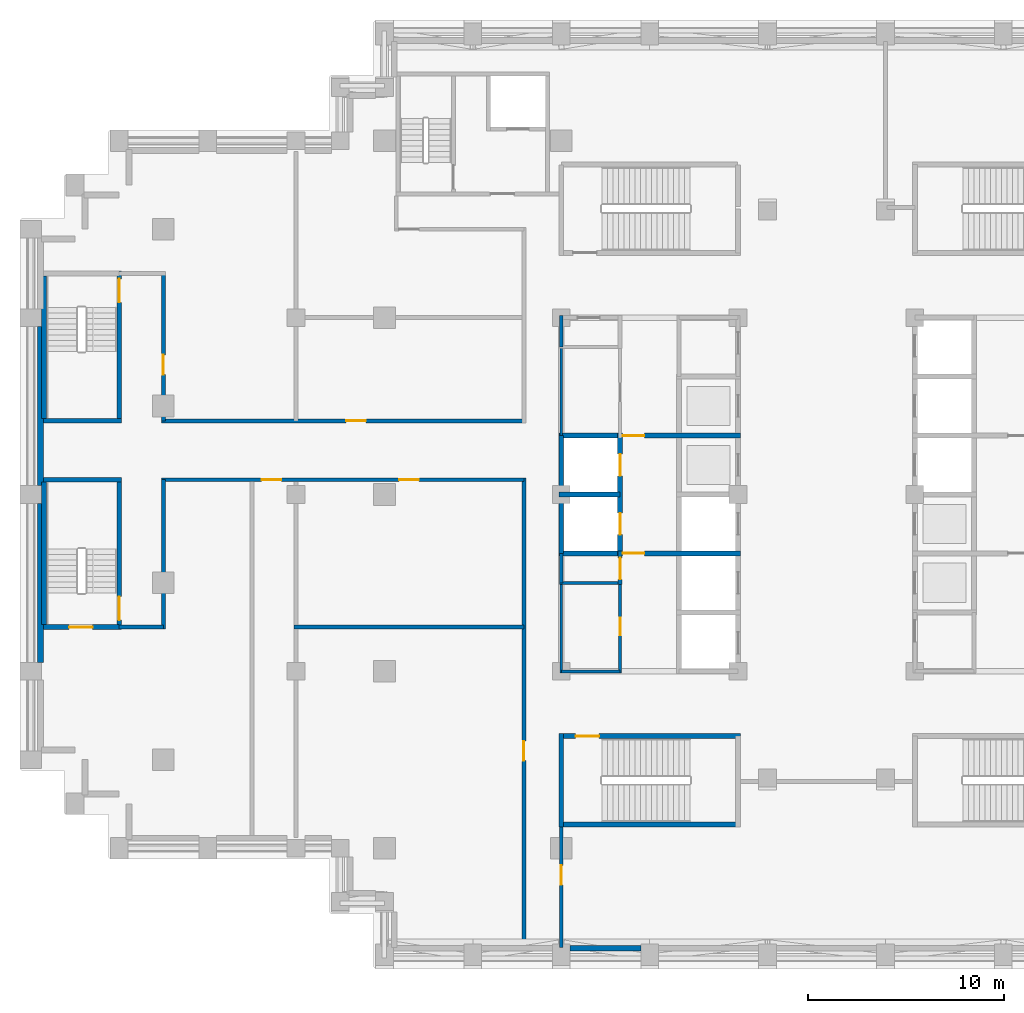
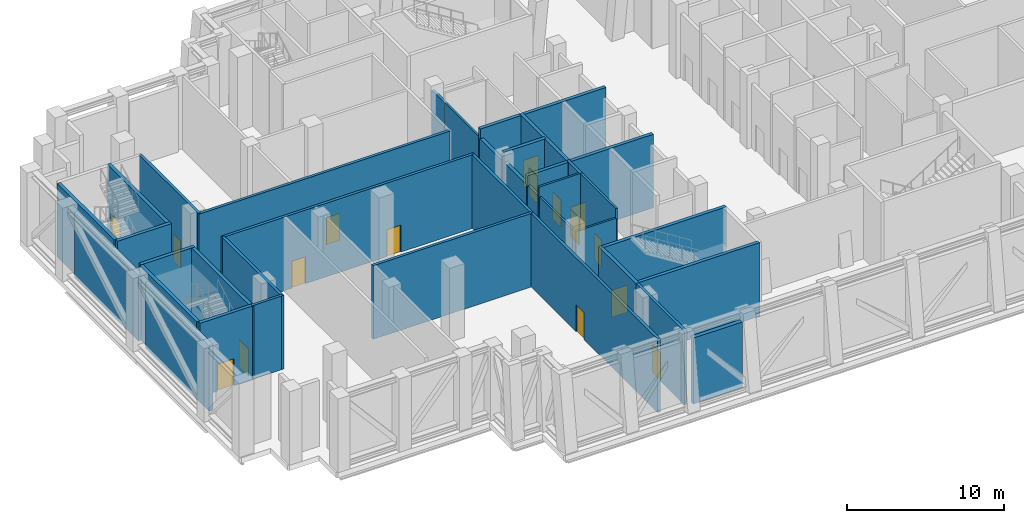
# One storey, part 5 of 14: 34 walls, 16 doors, 16 openings.
"""IFC4 building model written with IfcOpenShell, lengths in metres."""

from ifc_helpers import new_model, si_unit, direction, frame, frame_2d, origin, place, context, subcontext, project, spatial, rectangle, extrude, material, layer, layer_set, type_object, element, fill, save


model = new_model("IFC4")

# Units and contexts
model_context = context("Model", 3, precision=1e-05, world=origin(), true_north=direction((0.0, 1.0)))
body_context = subcontext(model_context, "Body", "Model", "MODEL_VIEW")
ifc_project = project(units=[si_unit("LENGTHUNIT", "METRE"), si_unit("AREAUNIT", "SQUARE_METRE"), si_unit("VOLUMEUNIT", "CUBIC_METRE"), si_unit("PLANEANGLEUNIT", "RADIAN"), si_unit("MASSUNIT", "GRAM", prefix="KILO")], contexts=[model_context])

# Site, building, storey
site_placement = place(None, origin())
site = spatial("IfcSite", under=ifc_project, at=site_placement, CompositionType="ELEMENT")
building_placement = place(site_placement, origin())
building = spatial("IfcBuilding", under=site, at=building_placement, Name="Corbelhall Arena Tower", CompositionType="ELEMENT")
storey_placement = place(building_placement, frame((0.0, 0.0, 178.0)))
storey = spatial("IfcBuildingStorey", under=building, at=storey_placement, Name="L36", CompositionType="ELEMENT", Elevation=178.0)

# Walls
ifc_material_1 = material(Name="Precast concrete C40/50 with granite facing", Category="masonry")
ifc_layer_1 = layer(ifc_material_1, 0.300048828125)
ifc_layer_set_1 = layer_set([ifc_layer_1], Name="EV-IW1 Infill panel 300")
wall_type_1 = type_object("IfcWallType", Name="EV-IW1 Infill panel 300", PredefinedType="SOLIDWALL", material=ifc_layer_set_1)
for number, where, z_axis, x_axis, name in (
    (1, (-40.0, 8.550048828125, 0.0), (0.0, 0.0, 1.0), (0.0, -1.0, 0.0), "Infill panel IW1"),
    (2, (-40.0, -0.449951171875, 0.0), (0.0, 0.0, 1.0), (0.0, -1.0, 0.0), "Infill panel IW1"),
):
    element("IfcWall", number, at=place(storey_placement, frame(where, z_axis=z_axis, x_axis=x_axis)), inside=storey, type_object=wall_type_1, Name=name, PredefinedType="SOLIDWALL", context=body_context, shape_type="SweptSolid", body=[
        extrude(rectangle(XDim=8.10009765625, YDim=0.300048828125, at=frame_2d((4.050048828125, 0.0))), origin(), (0.0, 0.0, 1.0), 5.1201171875),
    ])
wall_1_placement = place(storey_placement, frame((-13.050048828125, -23.10009765625, 0.0), z_axis=(0.0, 0.0, 1.0), x_axis=(1.0, 0.0, 0.0)))
element("IfcWall", 3, at=wall_1_placement, inside=storey, type_object=wall_type_1, Name="Infill panel IW1", PredefinedType="SOLIDWALL", context=body_context, shape_type="SweptSolid", body=[
    extrude(rectangle(XDim=3.60009765625, YDim=0.300048828125, at=frame_2d((1.800048828125, 0.0))), origin(), (0.0, 0.0, 1.0), 5.1201171875),
])

# Wall, opening, door
ifc_material_2 = material(Name="Gypsum board on steel stud, acoustic", Category="steel")
ifc_layer_2 = layer(ifc_material_2, 0.199951171875)
ifc_layer_set_2 = layer_set([ifc_layer_2], Name="IN-W-DM200")
wall_type_2 = type_object("IfcWallType", Name="IN-W-DM200", PredefinedType="PARTITIONING", material=ifc_layer_set_2)
wall_2_placement = place(storey_placement, frame((-33.85009765625, 3.75, 0.0), z_axis=(0.0, 0.0, 1.0), x_axis=(1.0, 0.0, 0.0)))
wall_2 = element("IfcWall", 4, at=wall_2_placement, inside=storey, type_object=wall_type_2, Name="Partition 002", PredefinedType="PARTITIONING", context=body_context, shape_type="SweptSolid", body=[
    extrude(rectangle(XDim=18.4501953125, YDim=0.199951171875, at=frame_2d((9.22509765625, 0.0))), origin(), (0.0, 0.0, 1.0), 5.719970703125),
])
opening_1_placement = place(wall_2_placement, frame((9.39990234375, 0.0, 0.0)))
opening_1 = element("IfcOpeningElement", 5, at=opening_1_placement, cuts=wall_2, Name="Opening 27022", PredefinedType="OPENING", context=body_context, shape_type="SweptSolid", body=[
    extrude(rectangle(XDim=1.0, YDim=2.10009765625, at=frame_2d((0.5, 1.050048828125))), frame((0.0, 0.10009765625, 0.0), z_axis=(0.0, -1.0, 0.0), x_axis=(1.0, 0.0, 0.0)), (0.0, 0.0, 1.0), 0.199951171875),
])
ifc_material_3 = material(Name="Steel door set", Category="steel")
door_type_1 = type_object("IfcDoorType", Name="IN-D-SW100", OperationType="NOTDEFINED", PredefinedType="DOOR", material=ifc_material_3)
door_1_placement = place(opening_1_placement, origin())
door_1 = element("IfcDoor", 6, at=door_1_placement, inside=storey, type_object=door_type_1, Name="Door 022", OperationType="SINGLE_SWING_LEFT", OverallHeight=2.10009765625, OverallWidth=1.0, PredefinedType="DOOR", context=body_context, shape_type="SweptSolid", body=[
    extrude(rectangle(XDim=1.0, YDim=2.10009765625, at=frame_2d((0.5, 1.050048828125))), frame((0.0, 0.02490234375, 0.0), z_axis=(0.0, -1.0, 0.0), x_axis=(1.0, 0.0, 0.0)), (0.0, 0.0, 1.0), 0.050048828125),
])
fill(opening_1, door_1)

# Walls
wall_3_placement = place(storey_placement, frame((-33.75, -6.75, 0.0), z_axis=(0.0, 0.0, 1.0), x_axis=(-1.0, 0.0, 0.0)))
element("IfcWall", 7, at=wall_3_placement, inside=storey, type_object=wall_type_2, Name="Partition 003", PredefinedType="PARTITIONING", context=body_context, shape_type="SweptSolid", body=[
    extrude(rectangle(XDim=2.25, YDim=0.199951171875, at=frame_2d((1.125, 0.0))), origin(), (0.0, 0.0, 1.0), 5.719970703125),
])
wall_4_placement = place(storey_placement, frame((-33.75, 0.75, 0.0), z_axis=(0.0, 0.0, 1.0), x_axis=(0.0, -1.0, 0.0)))
element("IfcWall", 8, at=wall_4_placement, inside=storey, type_object=wall_type_2, Name="Partition 004", PredefinedType="PARTITIONING", context=body_context, shape_type="SweptSolid", body=[
    extrude(rectangle(XDim=7.60009765625, YDim=0.199951171875, at=frame_2d((3.800048828125, 0.0))), origin(), (0.0, 0.0, 1.0), 5.719970703125),
])

# Wall, opening, door
wall_5_placement = place(storey_placement, frame((-33.75, 11.25, 0.0), z_axis=(0.0, 0.0, 1.0), x_axis=(0.0, -1.0, 0.0)))
wall_5 = element("IfcWall", 9, at=wall_5_placement, inside=storey, type_object=wall_type_2, Name="Partition 005", PredefinedType="PARTITIONING", context=body_context, shape_type="SweptSolid", body=[
    extrude(rectangle(XDim=7.5, YDim=0.199951171875, at=frame_2d((3.75, 0.0))), origin(), (0.0, 0.0, 1.0), 5.719970703125),
])
opening_2_placement = place(wall_5_placement, frame((4.14990234375, 0.0, 0.0)))
opening_2 = element("IfcOpeningElement", 10, at=opening_2_placement, cuts=wall_5, Name="Opening 27032", PredefinedType="OPENING", context=body_context, shape_type="SweptSolid", body=[
    extrude(rectangle(XDim=1.0, YDim=2.10009765625, at=frame_2d((0.5, 1.050048828125))), frame((0.0, 0.10009765625, 0.0), z_axis=(0.0, -1.0, 0.0), x_axis=(1.0, 0.0, 0.0)), (0.0, 0.0, 1.0), 0.199951171875),
])
door_2_placement = place(opening_2_placement, origin())
door_2 = element("IfcDoor", 11, at=door_2_placement, inside=storey, type_object=door_type_1, Name="Door 032", OperationType="SINGLE_SWING_LEFT", OverallHeight=2.10009765625, OverallWidth=1.0, PredefinedType="DOOR", context=body_context, shape_type="SweptSolid", body=[
    extrude(rectangle(XDim=1.0, YDim=2.10009765625, at=frame_2d((0.5, 1.050048828125))), frame((0.0, 0.02490234375, 0.0), z_axis=(0.0, -1.0, 0.0), x_axis=(1.0, 0.0, 0.0)), (0.0, 0.0, 1.0), 0.050048828125),
])
fill(opening_2, door_2)

# Wall, openings, doors
wall_6_placement = place(storey_placement, frame((-15.39990234375, 0.75, 0.0), z_axis=(0.0, 0.0, 1.0), x_axis=(-1.0, 0.0, 0.0)))
wall_6 = element("IfcWall", 12, at=wall_6_placement, inside=storey, type_object=wall_type_2, Name="Partition 007", PredefinedType="PARTITIONING", context=body_context, shape_type="SweptSolid", body=[
    extrude(rectangle(XDim=18.4501953125, YDim=0.199951171875, at=frame_2d((9.22509765625, 0.0))), origin(), (0.0, 0.0, 1.0), 5.719970703125),
])
opening_3_placement = place(wall_6_placement, frame((5.35009765625, 0.0, 0.0)))
opening_3 = element("IfcOpeningElement", 13, at=opening_3_placement, cuts=wall_6, Name="Opening 27025", PredefinedType="OPENING", context=body_context, shape_type="SweptSolid", body=[
    extrude(rectangle(XDim=1.0, YDim=2.10009765625, at=frame_2d((0.5, 1.050048828125))), frame((0.0, 0.10009765625, 0.0), z_axis=(0.0, -1.0, 0.0), x_axis=(1.0, 0.0, 0.0)), (0.0, 0.0, 1.0), 0.199951171875),
])
opening_4_placement = place(wall_6_placement, frame((12.35009765625, 0.0, 0.0)))
opening_4 = element("IfcOpeningElement", 14, at=opening_4_placement, cuts=wall_6, Name="Opening 27034", PredefinedType="OPENING", context=body_context, shape_type="SweptSolid", body=[
    extrude(rectangle(XDim=1.0, YDim=2.10009765625, at=frame_2d((0.5, 1.050048828125))), frame((0.0, 0.10009765625, 0.0), z_axis=(0.0, -1.0, 0.0), x_axis=(1.0, 0.0, 0.0)), (0.0, 0.0, 1.0), 0.199951171875),
])
door_3_placement = place(opening_3_placement, origin())
door_3 = element("IfcDoor", 15, at=door_3_placement, inside=storey, type_object=door_type_1, Name="Door 025", OperationType="SINGLE_SWING_RIGHT", OverallHeight=2.10009765625, OverallWidth=1.0, PredefinedType="DOOR", context=body_context, shape_type="SweptSolid", body=[
    extrude(rectangle(XDim=1.0, YDim=2.10009765625, at=frame_2d((0.5, 1.050048828125))), frame((0.0, 0.02490234375, 0.0), z_axis=(0.0, -1.0, 0.0), x_axis=(1.0, 0.0, 0.0)), (0.0, 0.0, 1.0), 0.050048828125),
])
fill(opening_3, door_3)
door_4_placement = place(opening_4_placement, origin())
door_4 = element("IfcDoor", 16, at=door_4_placement, inside=storey, type_object=door_type_1, Name="Door 034", OperationType="SINGLE_SWING_LEFT", OverallHeight=2.10009765625, OverallWidth=1.0, PredefinedType="DOOR", context=body_context, shape_type="SweptSolid", body=[
    extrude(rectangle(XDim=1.0, YDim=2.10009765625, at=frame_2d((0.5, 1.050048828125))), frame((0.0, 0.02490234375, 0.0), z_axis=(0.0, -1.0, 0.0), x_axis=(1.0, 0.0, 0.0)), (0.0, 0.0, 1.0), 0.050048828125),
])
fill(opening_4, door_4)

# Wall
wall_7_placement = place(storey_placement, frame((-27.10009765625, -6.75, 0.0), z_axis=(0.0, 0.0, 1.0), x_axis=(1.0, 0.0, 0.0)))
element("IfcWall", 17, at=wall_7_placement, inside=storey, type_object=wall_type_2, Name="Partition 008", PredefinedType="PARTITIONING", context=body_context, shape_type="SweptSolid", body=[
    extrude(rectangle(XDim=11.7001953125, YDim=0.199951171875, at=frame_2d((5.85009765625, 0.0))), origin(), (0.0, 0.0, 1.0), 5.719970703125),
])

# Wall, opening, door
wall_8_placement = place(storey_placement, frame((-15.39990234375, -22.949951171875, 0.0), z_axis=(0.0, 0.0, 1.0), x_axis=(0.0, 1.0, 0.0)))
wall_8 = element("IfcWall", 18, at=wall_8_placement, inside=storey, type_object=wall_type_2, Name="Partition 013", PredefinedType="PARTITIONING", context=body_context, shape_type="SweptSolid", body=[
    extrude(rectangle(XDim=23.800048828125, YDim=0.199951171875, at=frame_2d((11.89990234375, 0.0))), origin(), (0.0, 0.0, 1.0), 5.719970703125),
])
opening_5_placement = place(wall_8_placement, frame((9.39990234375, 0.0, 0.0)))
opening_5 = element("IfcOpeningElement", 19, at=opening_5_placement, cuts=wall_8, Name="Opening 27024", PredefinedType="OPENING", context=body_context, shape_type="SweptSolid", body=[
    extrude(rectangle(XDim=1.0, YDim=2.10009765625, at=frame_2d((0.5, 1.050048828125))), frame((0.0, 0.10009765625, 0.0), z_axis=(0.0, -1.0, 0.0), x_axis=(1.0, 0.0, 0.0)), (0.0, 0.0, 1.0), 0.199951171875),
])
door_5_placement = place(opening_5_placement, origin())
door_5 = element("IfcDoor", 20, at=door_5_placement, inside=storey, type_object=door_type_1, Name="Door 024", OperationType="SINGLE_SWING_LEFT", OverallHeight=2.10009765625, OverallWidth=1.0, PredefinedType="DOOR", context=body_context, shape_type="SweptSolid", body=[
    extrude(rectangle(XDim=1.0, YDim=2.10009765625, at=frame_2d((0.5, 1.050048828125))), frame((0.0, 0.02490234375, 0.0), z_axis=(0.0, -1.0, 0.0), x_axis=(1.0, 0.0, 0.0)), (0.0, 0.0, 1.0), 0.050048828125),
])
fill(opening_5, door_5)

wall_9_placement = place(storey_placement, frame((-13.5, -16.675048828125, 0.0), z_axis=(0.0, 0.0, 1.0), x_axis=(0.0, -1.0, 0.0)))
wall_9 = element("IfcWall", 21, at=wall_9_placement, inside=storey, type_object=wall_type_2, Name="Partition 016", PredefinedType="PARTITIONING", context=body_context, shape_type="SweptSolid", body=[
    extrude(rectangle(XDim=6.375, YDim=0.199951171875, at=frame_2d((3.1875, 0.0))), origin(), (0.0, 0.0, 1.0), 5.719970703125),
])
opening_6_placement = place(wall_9_placement, frame((2.199951171875, 0.0, 0.0)))
opening_6 = element("IfcOpeningElement", 22, at=opening_6_placement, cuts=wall_9, Name="Opening 27021", PredefinedType="OPENING", context=body_context, shape_type="SweptSolid", body=[
    extrude(rectangle(XDim=1.0, YDim=2.10009765625, at=frame_2d((0.5, 1.050048828125))), frame((0.0, 0.10009765625, 0.0), z_axis=(0.0, -1.0, 0.0), x_axis=(1.0, 0.0, 0.0)), (0.0, 0.0, 1.0), 0.199951171875),
])
door_6_placement = place(opening_6_placement, origin())
door_6 = element("IfcDoor", 23, at=door_6_placement, inside=storey, type_object=door_type_1, Name="Door 021", OperationType="SINGLE_SWING_RIGHT", OverallHeight=2.10009765625, OverallWidth=1.0, PredefinedType="DOOR", context=body_context, shape_type="SweptSolid", body=[
    extrude(rectangle(XDim=1.0, YDim=2.10009765625, at=frame_2d((0.5, 1.050048828125))), frame((0.0, 0.02490234375, 0.0), z_axis=(0.0, -1.0, 0.0), x_axis=(1.0, 0.0, 0.0)), (0.0, 0.0, 1.0), 0.050048828125),
])
fill(opening_6, door_6)

ifc_material_4 = material(Name="Concrete block wall", Category="concrete")
ifc_layer_3 = layer(ifc_material_4, 0.199951171875)
ifc_layer_set_3 = layer_set([ifc_layer_3], Name="IN-W-RS200")
wall_type_3 = type_object("IfcWallType", Name="IN-W-RS200", PredefinedType="SOLIDWALL", material=ifc_layer_set_3)
wall_10_placement = place(storey_placement, frame((-10.5, -4.574951171875, 0.0), z_axis=(0.0, 0.0, 1.0), x_axis=(0.0, 1.0, 0.0)))
wall_10 = element("IfcWall", 24, at=wall_10_placement, inside=storey, type_object=wall_type_3, Name="Partition 041", PredefinedType="SOLIDWALL", context=body_context, shape_type="SweptSolid", body=[
    extrude(rectangle(XDim=1.699951171875, YDim=0.199951171875, at=frame_2d((0.85009765625, 0.0))), origin(), (0.0, 0.0, 1.0), 5.719970703125),
])
opening_7_placement = place(wall_10_placement, frame((0.25, 0.0, 0.0)))
opening_7 = element("IfcOpeningElement", 25, at=opening_7_placement, cuts=wall_10, Name="Opening 27005", PredefinedType="OPENING", context=body_context, shape_type="SweptSolid", body=[
    extrude(rectangle(XDim=1.10009765625, YDim=2.10009765625, at=frame_2d((0.550048828125, 1.050048828125))), frame((0.0, 0.10009765625, 0.0), z_axis=(0.0, -1.0, 0.0), x_axis=(1.0, 0.0, 0.0)), (0.0, 0.0, 1.0), 0.199951171875),
])
door_type_2 = type_object("IfcDoorType", Name="IN-D-FD110", OperationType="NOTDEFINED", PredefinedType="DOOR", material=ifc_material_3)
door_7_placement = place(opening_7_placement, origin())
door_7 = element("IfcDoor", 26, at=door_7_placement, inside=storey, type_object=door_type_2, Name="Door 005", OperationType="SINGLE_SWING_RIGHT", OverallHeight=2.10009765625, OverallWidth=1.10009765625, PredefinedType="DOOR", context=body_context, shape_type="SweptSolid", body=[
    extrude(rectangle(XDim=1.10009765625, YDim=2.10009765625, at=frame_2d((0.550048828125, 1.050048828125))), frame((0.0, 0.02490234375, 0.0), z_axis=(0.0, -1.0, 0.0), x_axis=(1.0, 0.0, 0.0)), (0.0, 0.0, 1.0), 0.050048828125),
])
fill(opening_7, door_7)

# Walls
ifc_layer_4 = layer(ifc_material_4, 0.199951171875)
ifc_layer_set_4 = layer_set([ifc_layer_4], Name="IN-W-RS200 under beam 762 mm")
wall_type_4 = type_object("IfcWallType", Name="IN-W-RS200 under beam 762 mm", PredefinedType="SOLIDWALL", material=ifc_layer_set_4)
wall_11_placement = place(storey_placement, frame((-13.5, -4.5, 0.0), z_axis=(0.0, 0.0, 1.0), x_axis=(0.0, 1.0, 0.0)))
element("IfcWall", 27, at=wall_11_placement, inside=storey, type_object=wall_type_4, Name="Partition 038", PredefinedType="SOLIDWALL", context=body_context, shape_type="SweptSolid", body=[
    extrude(rectangle(XDim=1.5, YDim=0.199951171875, at=frame_2d((0.75, 0.0))), origin(), (0.0, 0.0, 1.0), 4.9580078125),
])
wall_12_placement = place(storey_placement, frame((-13.5, 7.5, 0.0), z_axis=(0.0, 0.0, 1.0), x_axis=(0.0, 1.0, 0.0)))
element("IfcWall", 28, at=wall_12_placement, inside=storey, type_object=wall_type_4, Name="Partition 039", PredefinedType="SOLIDWALL", context=body_context, shape_type="SweptSolid", body=[
    extrude(rectangle(XDim=1.60009765625, YDim=0.199951171875, at=frame_2d((0.800048828125, 0.0))), origin(), (0.0, 0.0, 1.0), 4.9580078125),
])
ifc_material_5 = material(Name="Concrete C40/50", Category="concrete")
ifc_layer_5 = layer(ifc_material_5, 0.25)
ifc_layer_set_5 = layer_set([ifc_layer_5], Name="IN-W-SH250")
wall_type_5 = type_object("IfcWallType", Name="IN-W-SH250", PredefinedType="SOLIDWALL", material=ifc_layer_set_5)
wall_13_placement = place(storey_placement, frame((-13.625, 0.0, 0.0), z_axis=(0.0, 0.0, 1.0), x_axis=(1.0, 0.0, 0.0)))
element("IfcWall", 29, at=wall_13_placement, inside=storey, type_object=wall_type_5, Name="Shaft wall 054", PredefinedType="SOLIDWALL", context=body_context, shape_type="SweptSolid", body=[
    extrude(rectangle(XDim=3.125, YDim=0.25, at=frame_2d((1.5625, 0.0))), origin(), (0.0, 0.0, 1.0), 5.719970703125),
])

# Wall, opening, door
wall_14_placement = place(storey_placement, frame((-13.625, 3.0, 0.0), z_axis=(0.0, 0.0, 1.0), x_axis=(1.0, 0.0, 0.0)))
wall_14 = element("IfcWall", 30, at=wall_14_placement, inside=storey, type_object=wall_type_5, Name="Shaft wall 055", PredefinedType="SOLIDWALL", context=body_context, shape_type="SweptSolid", body=[
    extrude(rectangle(XDim=9.25, YDim=0.25, at=frame_2d((4.625, 0.0))), origin(), (0.0, 0.0, 1.0), 5.719970703125),
])
opening_8_placement = place(wall_14_placement, frame((3.25, 0.0, 0.0)))
opening_8 = element("IfcOpeningElement", 31, at=opening_8_placement, cuts=wall_14, Name="Opening 27003", PredefinedType="OPENING", context=body_context, shape_type="SweptSolid", body=[
    extrude(rectangle(XDim=1.10009765625, YDim=2.10009765625, at=frame_2d((0.550048828125, 1.050048828125))), frame((0.0, 0.125, 0.0), z_axis=(0.0, -1.0, 0.0), x_axis=(1.0, 0.0, 0.0)), (0.0, 0.0, 1.0), 0.25),
])
door_8_placement = place(opening_8_placement, origin())
door_8 = element("IfcDoor", 32, at=door_8_placement, inside=storey, type_object=door_type_2, Name="Door 003", OperationType="SINGLE_SWING_RIGHT", OverallHeight=2.10009765625, OverallWidth=1.10009765625, PredefinedType="DOOR", context=body_context, shape_type="SweptSolid", body=[
    extrude(rectangle(XDim=1.10009765625, YDim=2.10009765625, at=frame_2d((0.550048828125, 1.050048828125))), frame((0.0, 0.02490234375, 0.0), z_axis=(0.0, -1.0, 0.0), x_axis=(1.0, 0.0, 0.0)), (0.0, 0.0, 1.0), 0.050048828125),
])
fill(opening_8, door_8)

wall_15_placement = place(storey_placement, frame((-13.625, -3.0, 0.0), z_axis=(0.0, 0.0, 1.0), x_axis=(1.0, 0.0, 0.0)))
wall_15 = element("IfcWall", 33, at=wall_15_placement, inside=storey, type_object=wall_type_5, Name="Shaft wall 057", PredefinedType="SOLIDWALL", context=body_context, shape_type="SweptSolid", body=[
    extrude(rectangle(XDim=9.25, YDim=0.25, at=frame_2d((4.625, 0.0))), origin(), (0.0, 0.0, 1.0), 5.719970703125),
])
opening_9_placement = place(wall_15_placement, frame((3.25, 0.0, 0.0)))
opening_9 = element("IfcOpeningElement", 34, at=opening_9_placement, cuts=wall_15, Name="Opening 27002", PredefinedType="OPENING", context=body_context, shape_type="SweptSolid", body=[
    extrude(rectangle(XDim=1.10009765625, YDim=2.10009765625, at=frame_2d((0.550048828125, 1.050048828125))), frame((0.0, 0.125, 0.0), z_axis=(0.0, -1.0, 0.0), x_axis=(1.0, 0.0, 0.0)), (0.0, 0.0, 1.0), 0.25),
])
door_9_placement = place(opening_9_placement, origin())
door_9 = element("IfcDoor", 35, at=door_9_placement, inside=storey, type_object=door_type_2, Name="Door 002", OperationType="SINGLE_SWING_LEFT", OverallHeight=2.10009765625, OverallWidth=1.10009765625, PredefinedType="DOOR", context=body_context, shape_type="SweptSolid", body=[
    extrude(rectangle(XDim=1.10009765625, YDim=2.10009765625, at=frame_2d((0.550048828125, 1.050048828125))), frame((0.0, 0.02490234375, 0.0), z_axis=(0.0, -1.0, 0.0), x_axis=(1.0, 0.0, 0.0)), (0.0, 0.0, 1.0), 0.050048828125),
])
fill(opening_9, door_9)

# Wall, openings, doors
wall_16_placement = place(storey_placement, frame((-10.5, -3.125, 0.0), z_axis=(0.0, 0.0, 1.0), x_axis=(0.0, 1.0, 0.0)))
wall_16 = element("IfcWall", 36, at=wall_16_placement, inside=storey, type_object=wall_type_5, Name="Shaft wall 058", PredefinedType="SOLIDWALL", context=body_context, shape_type="SweptSolid", body=[
    extrude(rectangle(XDim=6.25, YDim=0.25, at=frame_2d((3.125, 0.0))), origin(), (0.0, 0.0, 1.0), 5.719970703125),
])
opening_10_placement = place(wall_16_placement, frame((1.074951171875, 0.0, 0.0)))
opening_10 = element("IfcOpeningElement", 37, at=opening_10_placement, cuts=wall_16, Name="Opening LD", PredefinedType="OPENING", context=body_context, shape_type="SweptSolid", body=[
    extrude(rectangle(XDim=1.10009765625, YDim=2.10009765625, at=frame_2d((0.550048828125, 1.050048828125))), frame((0.0, 0.125, 0.0), z_axis=(0.0, -1.0, 0.0), x_axis=(1.0, 0.0, 0.0)), (0.0, 0.0, 1.0), 0.25),
])
opening_11_placement = place(wall_16_placement, frame((4.074951171875, 0.0, 0.0)))
opening_11 = element("IfcOpeningElement", 38, at=opening_11_placement, cuts=wall_16, Name="Opening LD", PredefinedType="OPENING", context=body_context, shape_type="SweptSolid", body=[
    extrude(rectangle(XDim=1.10009765625, YDim=2.10009765625, at=frame_2d((0.550048828125, 1.050048828125))), frame((0.0, 0.125, 0.0), z_axis=(0.0, -1.0, 0.0), x_axis=(1.0, 0.0, 0.0)), (0.0, 0.0, 1.0), 0.25),
])
door_type_3 = type_object("IfcDoorType", Name="IN-D-LD110", OperationType="NOTDEFINED", PredefinedType="DOOR", material=ifc_material_3)
door_10_placement = place(opening_10_placement, origin())
door_10 = element("IfcDoor", 39, at=door_10_placement, inside=storey, type_object=door_type_3, Name="Landing door W3", OperationType="SLIDING_TO_LEFT", OverallHeight=2.10009765625, OverallWidth=1.10009765625, PredefinedType="DOOR", context=body_context, shape_type="SweptSolid", body=[
    extrude(rectangle(XDim=1.10009765625, YDim=2.10009765625, at=frame_2d((0.550048828125, 1.050048828125))), frame((0.0, 0.02490234375, 0.0), z_axis=(0.0, -1.0, 0.0), x_axis=(1.0, 0.0, 0.0)), (0.0, 0.0, 1.0), 0.050048828125),
])
fill(opening_10, door_10)
door_11_placement = place(opening_11_placement, origin())
door_11 = element("IfcDoor", 40, at=door_11_placement, inside=storey, type_object=door_type_3, Name="Landing door W4", OperationType="SLIDING_TO_LEFT", OverallHeight=2.10009765625, OverallWidth=1.10009765625, PredefinedType="DOOR", context=body_context, shape_type="SweptSolid", body=[
    extrude(rectangle(XDim=1.10009765625, YDim=2.10009765625, at=frame_2d((0.550048828125, 1.050048828125))), frame((0.0, 0.02490234375, 0.0), z_axis=(0.0, -1.0, 0.0), x_axis=(1.0, 0.0, 0.0)), (0.0, 0.0, 1.0), 0.050048828125),
])
fill(opening_11, door_11)

# Walls
ifc_layer_6 = layer(ifc_material_5, 0.25)
ifc_layer_set_6 = layer_set([ifc_layer_6], Name="IN-W-SH250 under beam 762 mm")
wall_type_6 = type_object("IfcWallType", Name="IN-W-SH250 under beam 762 mm", PredefinedType="SOLIDWALL", material=ifc_layer_set_6)
wall_17_placement = place(storey_placement, frame((-13.5, -3.0, 0.0), z_axis=(0.0, 0.0, 1.0), x_axis=(0.0, 1.0, 0.0)))
element("IfcWall", 41, at=wall_17_placement, inside=storey, type_object=wall_type_6, Name="Shaft wall 056", PredefinedType="SOLIDWALL", context=body_context, shape_type="SweptSolid", body=[
    extrude(rectangle(XDim=6.0, YDim=0.25, at=frame_2d((3.0, 0.0))), origin(), (0.0, 0.0, 1.0), 4.9580078125),
])
ifc_layer_7 = layer(ifc_material_5, 0.25)
ifc_layer_set_7 = layer_set([ifc_layer_7], Name="IN-W-ST250")
wall_type_7 = type_object("IfcWallType", Name="IN-W-ST250", PredefinedType="SOLIDWALL", material=ifc_layer_set_7)
wall_18_placement = place(storey_placement, frame((-39.85009765625, 3.75, 0.0), z_axis=(0.0, 0.0, 1.0), x_axis=(1.0, 0.0, 0.0)))
element("IfcWall", 42, at=wall_18_placement, inside=storey, type_object=wall_type_7, Name="Shaft wall 077", PredefinedType="SOLIDWALL", context=body_context, shape_type="SweptSolid", body=[
    extrude(rectangle(XDim=3.97509765625, YDim=0.25, at=frame_2d((1.987548828125, 0.0))), origin(), (0.0, 0.0, 1.0), 5.719970703125),
])

# Wall, opening, door
wall_19_placement = place(storey_placement, frame((-36.0, -6.75, 0.0), z_axis=(0.0, 0.0, 1.0), x_axis=(-1.0, 0.0, 0.0)))
wall_19 = element("IfcWall", 43, at=wall_19_placement, inside=storey, type_object=wall_type_7, Name="Shaft wall 079", PredefinedType="SOLIDWALL", context=body_context, shape_type="SweptSolid", body=[
    extrude(rectangle(XDim=3.85009765625, YDim=0.25, at=frame_2d((1.925048828125, 0.0))), origin(), (0.0, 0.0, 1.0), 5.719970703125),
])
opening_12_placement = place(wall_19_placement, frame((1.35009765625, 0.0, 0.0)))
opening_12 = element("IfcOpeningElement", 44, at=opening_12_placement, cuts=wall_19, Name="Opening 27033", PredefinedType="OPENING", context=body_context, shape_type="SweptSolid", body=[
    extrude(rectangle(XDim=1.199951171875, YDim=2.10009765625, at=frame_2d((0.60009765625, 1.050048828125))), frame((0.0, 0.125, 0.0), z_axis=(0.0, -1.0, 0.0), x_axis=(1.0, 0.0, 0.0)), (0.0, 0.0, 1.0), 0.25),
])
door_type_4 = type_object("IfcDoorType", Name="IN-D-ST120", OperationType="NOTDEFINED", PredefinedType="DOOR", material=ifc_material_3)
door_12_placement = place(opening_12_placement, origin())
door_12 = element("IfcDoor", 45, at=door_12_placement, inside=storey, type_object=door_type_4, Name="Door 033", OperationType="SINGLE_SWING_RIGHT", OverallHeight=2.10009765625, OverallWidth=1.199951171875, PredefinedType="DOOR", context=body_context, shape_type="SweptSolid", body=[
    extrude(rectangle(XDim=1.199951171875, YDim=2.10009765625, at=frame_2d((0.60009765625, 1.050048828125))), frame((0.0, 0.02490234375, 0.0), z_axis=(0.0, -1.0, 0.0), x_axis=(1.0, 0.0, 0.0)), (0.0, 0.0, 1.0), 0.050048828125),
])
fill(opening_12, door_12)

wall_20_placement = place(storey_placement, frame((-36.0, 0.75, 0.0), z_axis=(0.0, 0.0, 1.0), x_axis=(0.0, -1.0, 0.0)))
wall_20 = element("IfcWall", 46, at=wall_20_placement, inside=storey, type_object=wall_type_7, Name="Shaft wall 080", PredefinedType="SOLIDWALL", context=body_context, shape_type="SweptSolid", body=[
    extrude(rectangle(XDim=7.625, YDim=0.25, at=frame_2d((3.8125, 0.0))), origin(), (0.0, 0.0, 1.0), 5.719970703125),
])
opening_13_placement = place(wall_20_placement, frame((5.949951171875, 0.0, 0.0)))
opening_13 = element("IfcOpeningElement", 47, at=opening_13_placement, cuts=wall_20, Name="Opening 27017", PredefinedType="OPENING", context=body_context, shape_type="SweptSolid", body=[
    extrude(rectangle(XDim=1.199951171875, YDim=2.10009765625, at=frame_2d((0.60009765625, 1.050048828125))), frame((0.0, 0.125, 0.0), z_axis=(0.0, -1.0, 0.0), x_axis=(1.0, 0.0, 0.0)), (0.0, 0.0, 1.0), 0.25),
])
door_13_placement = place(opening_13_placement, origin())
door_13 = element("IfcDoor", 48, at=door_13_placement, inside=storey, type_object=door_type_4, Name="Door 017", OperationType="SINGLE_SWING_RIGHT", OverallHeight=2.10009765625, OverallWidth=1.199951171875, PredefinedType="DOOR", context=body_context, shape_type="SweptSolid", body=[
    extrude(rectangle(XDim=1.199951171875, YDim=2.10009765625, at=frame_2d((0.60009765625, 1.050048828125))), frame((0.0, 0.02490234375, 0.0), z_axis=(0.0, -1.0, 0.0), x_axis=(1.0, 0.0, 0.0)), (0.0, 0.0, 1.0), 0.050048828125),
])
fill(opening_13, door_13)

wall_21_placement = place(storey_placement, frame((-36.0, 11.375, 0.0), z_axis=(0.0, 0.0, 1.0), x_axis=(0.0, -1.0, 0.0)))
wall_21 = element("IfcWall", 49, at=wall_21_placement, inside=storey, type_object=wall_type_7, Name="Shaft wall 081", PredefinedType="SOLIDWALL", context=body_context, shape_type="SweptSolid", body=[
    extrude(rectangle(XDim=7.625, YDim=0.25, at=frame_2d((3.8125, 0.0))), origin(), (0.0, 0.0, 1.0), 5.719970703125),
])
opening_14_placement = place(wall_21_placement, frame((0.39990234375, 0.0, 0.0)))
opening_14 = element("IfcOpeningElement", 50, at=opening_14_placement, cuts=wall_21, Name="Opening 27016", PredefinedType="OPENING", context=body_context, shape_type="SweptSolid", body=[
    extrude(rectangle(XDim=1.199951171875, YDim=2.10009765625, at=frame_2d((0.60009765625, 1.050048828125))), frame((0.0, 0.125, 0.0), z_axis=(0.0, -1.0, 0.0), x_axis=(1.0, 0.0, 0.0)), (0.0, 0.0, 1.0), 0.25),
])
door_14_placement = place(opening_14_placement, origin())
door_14 = element("IfcDoor", 51, at=door_14_placement, inside=storey, type_object=door_type_4, Name="Door 016", OperationType="SINGLE_SWING_LEFT", OverallHeight=2.10009765625, OverallWidth=1.199951171875, PredefinedType="DOOR", context=body_context, shape_type="SweptSolid", body=[
    extrude(rectangle(XDim=1.199951171875, YDim=2.10009765625, at=frame_2d((0.60009765625, 1.050048828125))), frame((0.0, 0.02490234375, 0.0), z_axis=(0.0, -1.0, 0.0), x_axis=(1.0, 0.0, 0.0)), (0.0, 0.0, 1.0), 0.050048828125),
])
fill(opening_14, door_14)

# Walls
wall_22_placement = place(storey_placement, frame((-35.875, 0.75, 0.0), z_axis=(0.0, 0.0, 1.0), x_axis=(-1.0, 0.0, 0.0)))
element("IfcWall", 52, at=wall_22_placement, inside=storey, type_object=wall_type_7, Name="Shaft wall 082", PredefinedType="SOLIDWALL", context=body_context, shape_type="SweptSolid", body=[
    extrude(rectangle(XDim=3.97509765625, YDim=0.25, at=frame_2d((1.987548828125, 0.0))), origin(), (0.0, 0.0, 1.0), 5.719970703125),
])
wall_23_placement = place(storey_placement, frame((-13.5, -12.175048828125, 0.0), z_axis=(0.0, 0.0, 1.0), x_axis=(0.0, -1.0, 0.0)))
element("IfcWall", 53, at=wall_23_placement, inside=storey, type_object=wall_type_7, Name="Shaft wall 083", PredefinedType="SOLIDWALL", context=body_context, shape_type="SweptSolid", body=[
    extrude(rectangle(XDim=4.75, YDim=0.25, at=frame_2d((2.375, 0.0))), origin(), (0.0, 0.0, 1.0), 5.719970703125),
])
wall_24_placement = place(storey_placement, frame((-4.5, -16.800048828125, 0.0), z_axis=(0.0, 0.0, 1.0), x_axis=(-1.0, 0.0, 0.0)))
element("IfcWall", 54, at=wall_24_placement, inside=storey, type_object=wall_type_7, Name="Shaft wall 087", PredefinedType="SOLIDWALL", context=body_context, shape_type="SweptSolid", body=[
    extrude(rectangle(XDim=9.0, YDim=0.25, at=frame_2d((4.5, 0.0))), origin(), (0.0, 0.0, 1.0), 5.719970703125),
])

# Wall, opening, door
wall_25_placement = place(storey_placement, frame((-4.375, -12.300048828125, 0.0), z_axis=(0.0, 0.0, 1.0), x_axis=(-1.0, 0.0, 0.0)))
wall_25 = element("IfcWall", 55, at=wall_25_placement, inside=storey, type_object=wall_type_7, Name="Shaft wall 091", PredefinedType="SOLIDWALL", context=body_context, shape_type="SweptSolid", body=[
    extrude(rectangle(XDim=9.125, YDim=0.25, at=frame_2d((4.5625, 0.0))), origin(), (0.0, 0.0, 1.0), 5.719970703125),
])
opening_15_placement = place(wall_25_placement, frame((7.199951171875, 0.0, 0.0)))
opening_15 = element("IfcOpeningElement", 56, at=opening_15_placement, cuts=wall_25, Name="Opening 27013", PredefinedType="OPENING", context=body_context, shape_type="SweptSolid", body=[
    extrude(rectangle(XDim=1.199951171875, YDim=2.10009765625, at=frame_2d((0.60009765625, 1.050048828125))), frame((0.0, 0.125, 0.0), z_axis=(0.0, -1.0, 0.0), x_axis=(1.0, 0.0, 0.0)), (0.0, 0.0, 1.0), 0.25),
])
door_15_placement = place(opening_15_placement, origin())
door_15 = element("IfcDoor", 57, at=door_15_placement, inside=storey, type_object=door_type_4, Name="Door 013", OperationType="SINGLE_SWING_RIGHT", OverallHeight=2.10009765625, OverallWidth=1.199951171875, PredefinedType="DOOR", context=body_context, shape_type="SweptSolid", body=[
    extrude(rectangle(XDim=1.199951171875, YDim=2.10009765625, at=frame_2d((0.60009765625, 1.050048828125))), frame((0.0, 0.02490234375, 0.0), z_axis=(0.0, -1.0, 0.0), x_axis=(1.0, 0.0, 0.0)), (0.0, 0.0, 1.0), 0.050048828125),
])
fill(opening_15, door_15)

# Walls
for number, where, z_axis, x_axis, name in (
    (58, (-39.824951171875, 3.875, 0.0), (0.0, 0.0, 1.0), (0.0, 1.0, 0.0), "Shaft wall SC1 facade side"),
    (59, (-39.824951171875, -6.625, 0.0), (0.0, 0.0, 1.0), (0.0, 1.0, 0.0), "Shaft wall SC2 facade side"),
):
    element("IfcWall", number, at=place(storey_placement, frame(where, z_axis=z_axis, x_axis=x_axis)), inside=storey, type_object=wall_type_7, Name=name, PredefinedType="SOLIDWALL", context=body_context, shape_type="SweptSolid", body=[
        extrude(rectangle(XDim=7.25, YDim=0.25, at=frame_2d((3.625, 0.0))), origin(), (0.0, 0.0, 1.0), 5.719970703125),
    ])
ifc_material_6 = material(Name="Gypsum board on steel stud, moisture resistant", Category="steel")
ifc_layer_8 = layer(ifc_material_6, 0.14990234375)
ifc_layer_set_8 = layer_set([ifc_layer_8], Name="IN-W-WC150")
wall_type_8 = type_object("IfcWallType", Name="IN-W-WC150", PredefinedType="PARTITIONING", material=ifc_layer_set_8)
wall_26_placement = place(storey_placement, frame((-13.60009765625, -4.5, 0.0), z_axis=(0.0, 0.0, 1.0), x_axis=(1.0, 0.0, 0.0)))
element("IfcWall", 60, at=wall_26_placement, inside=storey, type_object=wall_type_8, Name="Partition 105", PredefinedType="PARTITIONING", context=body_context, shape_type="SweptSolid", body=[
    extrude(rectangle(XDim=3.10009765625, YDim=0.14990234375, at=frame_2d((1.550048828125, 0.0))), origin(), (0.0, 0.0, 1.0), 5.719970703125),
])

# Wall, opening, door
wall_27_placement = place(storey_placement, frame((-10.5, -9.074951171875, 0.0), z_axis=(0.0, 0.0, 1.0), x_axis=(0.0, 1.0, 0.0)))
wall_27 = element("IfcWall", 61, at=wall_27_placement, inside=storey, type_object=wall_type_8, Name="Partition 109", PredefinedType="PARTITIONING", context=body_context, shape_type="SweptSolid", body=[
    extrude(rectangle(XDim=4.64990234375, YDim=0.14990234375, at=frame_2d((2.324951171875, 0.0))), origin(), (0.0, 0.0, 1.0), 5.719970703125),
])
opening_16_placement = place(wall_27_placement, frame((1.89990234375, 0.0, 0.0)))
opening_16 = element("IfcOpeningElement", 62, at=opening_16_placement, cuts=wall_27, Name="Opening 27004", PredefinedType="OPENING", context=body_context, shape_type="SweptSolid", body=[
    extrude(rectangle(XDim=0.89990234375, YDim=2.10009765625, at=frame_2d((0.449951171875, 1.050048828125))), frame((0.0, 0.074951171875, 0.0), z_axis=(0.0, -1.0, 0.0), x_axis=(1.0, 0.0, 0.0)), (0.0, 0.0, 1.0), 0.14990234375),
])
ifc_material_7 = material(Name="Timber door set", Category="wood")
door_type_5 = type_object("IfcDoorType", Name="IN-D-SW90", OperationType="NOTDEFINED", PredefinedType="DOOR", material=ifc_material_7)
door_16_placement = place(opening_16_placement, origin())
door_16 = element("IfcDoor", 63, at=door_16_placement, inside=storey, type_object=door_type_5, Name="Door 004", OperationType="SINGLE_SWING_LEFT", OverallHeight=2.10009765625, OverallWidth=0.89990234375, PredefinedType="DOOR", context=body_context, shape_type="SweptSolid", body=[
    extrude(rectangle(XDim=0.89990234375, YDim=2.10009765625, at=frame_2d((0.449951171875, 1.050048828125))), frame((0.0, 0.02490234375, 0.0), z_axis=(0.0, -1.0, 0.0), x_axis=(1.0, 0.0, 0.0)), (0.0, 0.0, 1.0), 0.050048828125),
])
fill(opening_16, door_16)

# Walls
ifc_layer_9 = layer(ifc_material_6, 0.14990234375)
ifc_layer_set_9 = layer_set([ifc_layer_9], Name="IN-W-WC150 under beam 762 mm")
wall_type_9 = type_object("IfcWallType", Name="IN-W-WC150 under beam 762 mm", PredefinedType="PARTITIONING", material=ifc_layer_set_9)
wall_28_placement = place(storey_placement, frame((-13.5, -9.074951171875, 0.0), z_axis=(0.0, 0.0, 1.0), x_axis=(0.0, 1.0, 0.0)))
element("IfcWall", 64, at=wall_28_placement, inside=storey, type_object=wall_type_9, Name="Partition 107", PredefinedType="PARTITIONING", context=body_context, shape_type="SweptSolid", body=[
    extrude(rectangle(XDim=4.574951171875, YDim=0.14990234375, at=frame_2d((2.28759765625, 0.0))), origin(), (0.0, 0.0, 1.0), 4.9580078125),
])
wall_29_placement = place(storey_placement, frame((-13.5, 3.0, 0.0), z_axis=(0.0, 0.0, 1.0), x_axis=(0.0, 1.0, 0.0)))
element("IfcWall", 65, at=wall_29_placement, inside=storey, type_object=wall_type_9, Name="Partition 108", PredefinedType="PARTITIONING", context=body_context, shape_type="SweptSolid", body=[
    extrude(rectangle(XDim=4.5, YDim=0.14990234375, at=frame_2d((2.25, 0.0))), origin(), (0.0, 0.0, 1.0), 4.9580078125),
])
wall_30_placement = place(storey_placement, frame((-10.5, -9.0, 0.0), z_axis=(0.0, 0.0, 1.0), x_axis=(-1.0, 0.0, 0.0)))
element("IfcWall", 66, at=wall_30_placement, inside=storey, type_object=wall_type_9, Name="Partition 110", PredefinedType="PARTITIONING", context=body_context, shape_type="SweptSolid", body=[
    extrude(rectangle(XDim=3.0, YDim=0.14990234375, at=frame_2d((1.5, 0.0))), origin(), (0.0, 0.0, 1.0), 4.9580078125),
])

save(model, "model.ifc")
